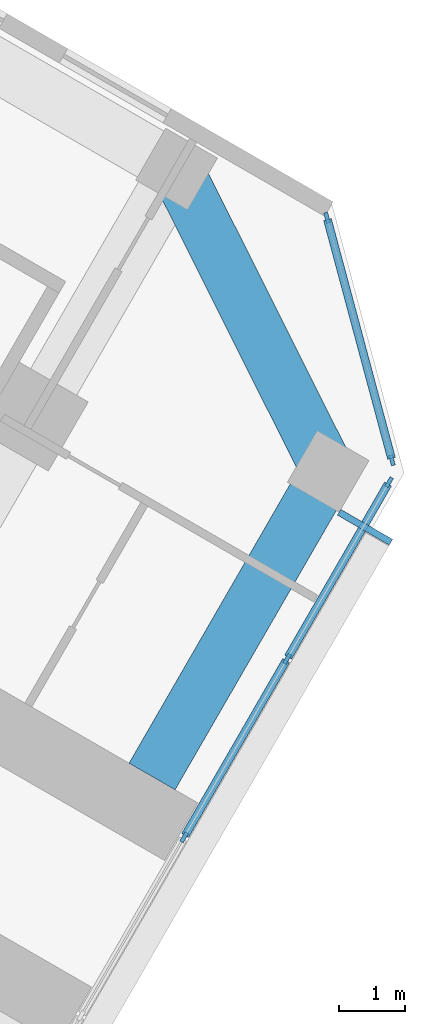
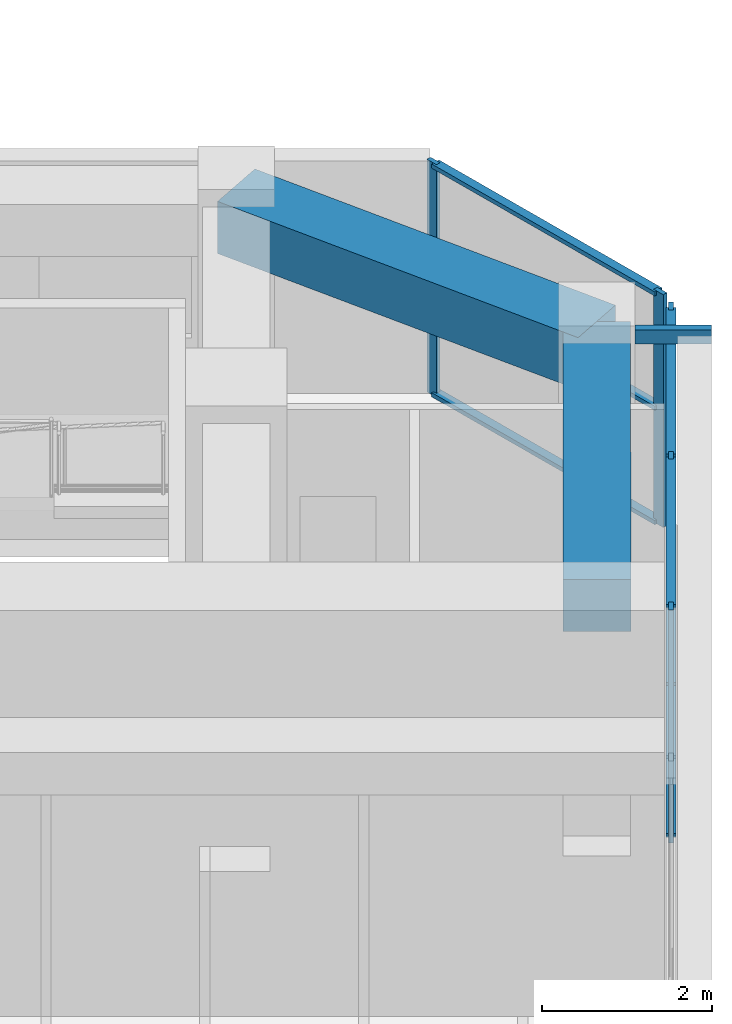
# One storey, part 8 of 22: 13 members, 2 beams, 2 elements without a shape of their own.
"""IFC4 building model written with IfcOpenShell, lengths in metres."""

from ifc_helpers import new_model, si_unit, direction, frame, origin, origin_2d, place, context, subcontext, project, spatial, rectangle, hollow_rectangle, extrude, material, material_profile, profile_set, type_object, element, aggregate, save


model = new_model("IFC4")

# Units and contexts
model_context = context("Model", 3, precision=1e-05, world=origin(), true_north=direction((0.0, 1.0)))
body_context = subcontext(model_context, "Body", "Model", "MODEL_VIEW")
ifc_project = project(units=[si_unit("LENGTHUNIT", "METRE"), si_unit("AREAUNIT", "SQUARE_METRE"), si_unit("VOLUMEUNIT", "CUBIC_METRE"), si_unit("PLANEANGLEUNIT", "RADIAN"), si_unit("MASSUNIT", "GRAM", prefix="KILO")], contexts=[model_context])

# Site, building, storey
site_placement = place(None, origin())
site = spatial("IfcSite", under=ifc_project, at=site_placement, CompositionType="ELEMENT")
building_placement = place(site_placement, origin())
building = spatial("IfcBuilding", under=site, at=building_placement, Name="Kosmar Iwan School Tower", CompositionType="ELEMENT")
storey_placement = place(building_placement, frame((0.0, 0.0, 91.60009765625)))
storey = spatial("IfcBuildingStorey", under=building, at=storey_placement, Name="L22", CompositionType="ELEMENT", Elevation=91.60009765625)

# Member
ifc_material_1 = material(Name="Steel S355", Category="steel")
ifc_material_profile_1 = material_profile(ifc_material_1, hollow_rectangle(XDim=0.10009765625, YDim=0.199951171875, WallThickness=0.008056640625, at=origin_2d()), Name="RHS 200x100x8")
ifc_profile_set_1 = profile_set([ifc_material_profile_1], Name="Steel S355")
member_type_1 = type_object("IfcMemberType", Name="Fin bracket RHS 200x100", PredefinedType="USERDEFINED", material=ifc_profile_set_1)
member_1_placement = place(storey_placement, frame((32.963134765625, -11.006103515625, 3.474853515625), z_axis=(0.866081705922, -0.499902469156, 0.0), x_axis=(0.499902469156, 0.866081705922, 0.0)))
element("IfcMember", 1, at=member_1_placement, inside=storey, type_object=member_type_1, Name="Fin bracket L23", ObjectType="FIN BRACKET", PredefinedType="USERDEFINED", context=body_context, shape_type="SweptSolid", body=[
    extrude(hollow_rectangle(XDim=0.10009765625, YDim=0.199951171875, WallThickness=0.008056640625, at=origin_2d()), origin(), (0.0, 0.0, 1.0), 0.900146484375),
])

# Curtain wall, members
ifc_material_2 = material(Name="Dark glass in black aluminium frame", Category="aluminium")
curtain_wall_type_1 = type_object("IfcCurtainWallType", Name="Tower curtain wall dark glass", PredefinedType="USERDEFINED", material=ifc_material_2)
curtain_wall_1_placement = place(storey_placement, origin())
curtain_wall_1 = element("IfcCurtainWall", 2, at=curtain_wall_1_placement, inside=storey, type_object=curtain_wall_type_1, Name="Curtain wall L22-F03", ObjectType="UNITISED CURTAIN WALL", PredefinedType="USERDEFINED")
ifc_material_3 = material(Name="Black anodised aluminium", Category="aluminium")
ifc_material_profile_2 = material_profile(ifc_material_3, rectangle(XDim=0.06005859375, YDim=0.159912109375, at=origin_2d()), Name="MULLION 60x160")
ifc_profile_set_2 = profile_set([ifc_material_profile_2], Name="Black anodised aluminium")
member_type_2 = type_object("IfcMemberType", Name="Mullion 60x160", PredefinedType="MULLION", material=ifc_profile_set_2)
member_2_placement = place(storey_placement, frame((30.631103515625, -15.8955078125, 0.0), z_axis=(0.0, 0.0, 1.0), x_axis=(-0.866025405329, 0.499999997325, 0.0)))
member_2 = element("IfcMember", 3, at=member_2_placement, type_object=member_type_2, Name="CW1 mullion 4", PredefinedType="MULLION", context=body_context, shape_type="SweptSolid", body=[
    extrude(rectangle(XDim=0.06005859375, YDim=0.159912109375, at=origin_2d()), origin(), (0.0, 0.0, 1.0), 3.349853515625),
])
member_3_placement = place(storey_placement, frame((32.1806640625, -13.21142578125, 0.0), z_axis=(0.0, 0.0, 1.0), x_axis=(-0.866025405329, 0.499999997325, 0.0)))
member_3 = element("IfcMember", 4, at=member_3_placement, type_object=member_type_2, Name="CW1 mullion 5", PredefinedType="MULLION", context=body_context, shape_type="SweptSolid", body=[
    extrude(rectangle(XDim=0.06005859375, YDim=0.159912109375, at=origin_2d()), origin(), (0.0, 0.0, 1.0), 3.349853515625),
])
member_4_placement = place(storey_placement, frame((33.71533203125, -10.55322265625, 0.0), z_axis=(0.0, 0.0, 1.0), x_axis=(-0.866025405329, 0.499999997325, 0.0)))
member_4 = element("IfcMember", 5, at=member_4_placement, type_object=member_type_2, Name="CW1 mullion 6", PredefinedType="MULLION", context=body_context, shape_type="SweptSolid", body=[
    extrude(rectangle(XDim=0.06005859375, YDim=0.159912109375, at=origin_2d()), origin(), (0.0, 0.0, 1.0), 3.349853515625),
])

ifc_material_4 = material(Name="Dark glass in black aluminium frame", Category="aluminium")
curtain_wall_type_2 = type_object("IfcCurtainWallType", Name="Chamfer curtain wall dark glass", PredefinedType="USERDEFINED", material=ifc_material_4)
curtain_wall_2_placement = place(storey_placement, origin())
curtain_wall_2 = element("IfcCurtainWall", 6, at=curtain_wall_2_placement, inside=storey, type_object=curtain_wall_type_2, Name="Curtain wall L22-F04", ObjectType="FACETED CURTAIN WALL", PredefinedType="USERDEFINED")
member_5_placement = place(storey_placement, frame((33.7587890625, -10.2236328125, 0.0), z_axis=(0.0, 0.0, 1.0), x_axis=(-0.965925875495, -0.258818861462, 0.0)))
member_5 = element("IfcMember", 7, at=member_5_placement, type_object=member_type_2, Name="CW2 mullion 1", PredefinedType="MULLION", context=body_context, shape_type="SweptSolid", body=[
    extrude(rectangle(XDim=0.06005859375, YDim=0.159912109375, at=origin_2d()), origin(), (0.0, 0.0, 1.0), 3.349853515625),
])
member_6_placement = place(storey_placement, frame((32.78076171875, -6.5732421875, 0.0), z_axis=(0.0, 0.0, 1.0), x_axis=(-0.965925875495, -0.258818861462, 0.0)))
member_6 = element("IfcMember", 8, at=member_6_placement, type_object=member_type_2, Name="CW2 mullion 2", PredefinedType="MULLION", context=body_context, shape_type="SweptSolid", body=[
    extrude(rectangle(XDim=0.06005859375, YDim=0.159912109375, at=origin_2d()), origin(), (0.0, 0.0, 1.0), 3.349853515625),
])

# Beams
ifc_material_5 = material(Name="Concrete C50/60", Category="concrete")
ifc_material_profile_3 = material_profile(ifc_material_5, rectangle(XDim=0.800048828125, YDim=0.75, at=origin_2d()), Name="RC 800x750")
ifc_profile_set_3 = profile_set([ifc_material_profile_3], Name="Concrete C50/60")
beam_type = type_object("IfcBeamType", Name="RC tip beam 800x750", PredefinedType="BEAM", material=ifc_profile_set_3)
beam_1_placement = place(storey_placement, frame((30.517822265625, -5.841552734375, 2.974853515625), z_axis=(0.44809604203, -0.893985423325, 0.0), x_axis=(0.893985423325, 0.44809604203, 0.0)))
element("IfcBeam", 9, at=beam_1_placement, inside=storey, type_object=beam_type, Name="Tip beam CL", PredefinedType="BEAM", context=body_context, shape_type="SweptSolid", body=[
    extrude(rectangle(XDim=0.800048828125, YDim=0.75, at=origin_2d()), origin(), (0.0, 0.0, 1.0), 5.08935546875),
])
beam_2_placement = place(storey_placement, frame((32.79833984375, -10.391357421875, 2.974853515625), z_axis=(-0.499973660256, -0.866040610509, 0.0), x_axis=(0.866040610509, -0.499973660256, 0.0)))
element("IfcBeam", 10, at=beam_2_placement, inside=storey, type_object=beam_type, Name="Tip beam CL to corridor wall", PredefinedType="BEAM", context=body_context, shape_type="SweptSolid", body=[
    extrude(rectangle(XDim=0.800048828125, YDim=0.75, at=origin_2d()), origin(), (0.0, 0.0, 1.0), 5.300048828125),
])

# Member
ifc_material_6 = material(Name="Black anodised aluminium", Category="aluminium")
ifc_material_profile_4 = material_profile(ifc_material_6, rectangle(XDim=0.1201171875, YDim=0.06005859375, at=origin_2d()), Name="TRANSOM 60x120")
ifc_profile_set_4 = profile_set([ifc_material_profile_4], Name="Black anodised aluminium")
member_type_3 = type_object("IfcMemberType", Name="Transom 60x120", PredefinedType="USERDEFINED", material=ifc_profile_set_4)
member_7_placement = place(storey_placement, frame((30.64599609375, -15.869384765625, 0.02978515625), z_axis=(0.500035348339, 0.866004994449, 0.0), x_axis=(-0.866004994449, 0.500035348339, 0.0)))
member_7 = element("IfcMember", 11, at=member_7_placement, type_object=member_type_3, Name="CW1 transom 4.1", ObjectType="TRANSOM", PredefinedType="USERDEFINED", context=body_context, shape_type="SweptSolid", body=[
    extrude(rectangle(XDim=0.1201171875, YDim=0.06005859375, at=origin_2d()), origin(), (0.0, 0.0, 1.0), 3.039306640625),
])

member_8_placement = place(storey_placement, frame((30.64599609375, -15.869384765625, 3.31982421875), z_axis=(0.500035348339, 0.866004994449, 0.0), x_axis=(-0.866004994449, 0.500035348339, 0.0)))
member_8 = element("IfcMember", 12, at=member_8_placement, type_object=member_type_3, Name="CW1 transom 4.2", ObjectType="TRANSOM", PredefinedType="USERDEFINED", context=body_context, shape_type="SweptSolid", body=[
    extrude(rectangle(XDim=0.1201171875, YDim=0.06005859375, at=origin_2d()), origin(), (0.0, 0.0, 1.0), 3.039306640625),
])

member_9_placement = place(storey_placement, frame((32.19580078125, -13.185302734375, 0.02978515625), z_axis=(0.500022102064, 0.866012642776, 0.0), x_axis=(-0.866012642776, 0.500022102064, 0.0)))
member_9 = element("IfcMember", 13, at=member_9_placement, type_object=member_type_3, Name="CW1 transom 5.1", ObjectType="TRANSOM", PredefinedType="USERDEFINED", context=body_context, shape_type="SweptSolid", body=[
    extrude(rectangle(XDim=0.1201171875, YDim=0.06005859375, at=origin_2d()), origin(), (0.0, 0.0, 1.0), 3.009033203125),
])

member_10_placement = place(storey_placement, frame((32.19580078125, -13.185302734375, 3.31982421875), z_axis=(0.500022102064, 0.866012642776, 0.0), x_axis=(-0.866012642776, 0.500022102064, 0.0)))
member_10 = element("IfcMember", 14, at=member_10_placement, type_object=member_type_3, Name="CW1 transom 5.2", ObjectType="TRANSOM", PredefinedType="USERDEFINED", context=body_context, shape_type="SweptSolid", body=[
    extrude(rectangle(XDim=0.1201171875, YDim=0.06005859375, at=origin_2d()), origin(), (0.0, 0.0, 1.0), 3.009033203125),
])

aggregate(curtain_wall_1, [member_2, member_3, member_4, member_7, member_8, member_9, member_10])

member_11_placement = place(storey_placement, frame((33.7509765625, -10.194580078125, 0.02978515625), z_axis=(-0.258843273983, 0.965919333854, 0.0), x_axis=(-0.965919333854, -0.258843273983, 0.0)))
member_11 = element("IfcMember", 15, at=member_11_placement, type_object=member_type_3, Name="CW2 transom 1.1", ObjectType="TRANSOM", PredefinedType="USERDEFINED", context=body_context, shape_type="SweptSolid", body=[
    extrude(rectangle(XDim=0.1201171875, YDim=0.06005859375, at=origin_2d()), origin(), (0.0, 0.0, 1.0), 3.718994140625),
])

member_12_placement = place(storey_placement, frame((33.7509765625, -10.194580078125, 1.6748046875), z_axis=(-0.258843273983, 0.965919333854, 0.0), x_axis=(-0.965919333854, -0.258843273983, 0.0)))
member_12 = element("IfcMember", 16, at=member_12_placement, type_object=member_type_3, Name="CW2 transom 1.2", ObjectType="TRANSOM", PredefinedType="USERDEFINED", context=body_context, shape_type="SweptSolid", body=[
    extrude(rectangle(XDim=0.1201171875, YDim=0.06005859375, at=origin_2d()), origin(), (0.0, 0.0, 1.0), 3.718994140625),
])

member_13_placement = place(storey_placement, frame((33.7509765625, -10.194580078125, 3.31982421875), z_axis=(-0.258843273983, 0.965919333854, 0.0), x_axis=(-0.965919333854, -0.258843273983, 0.0)))
member_13 = element("IfcMember", 17, at=member_13_placement, type_object=member_type_3, Name="CW2 transom 1.3", ObjectType="TRANSOM", PredefinedType="USERDEFINED", context=body_context, shape_type="SweptSolid", body=[
    extrude(rectangle(XDim=0.1201171875, YDim=0.06005859375, at=origin_2d()), origin(), (0.0, 0.0, 1.0), 3.718994140625),
])

aggregate(curtain_wall_2, [member_5, member_6, member_11, member_12, member_13])

save(model, "model.ifc")
